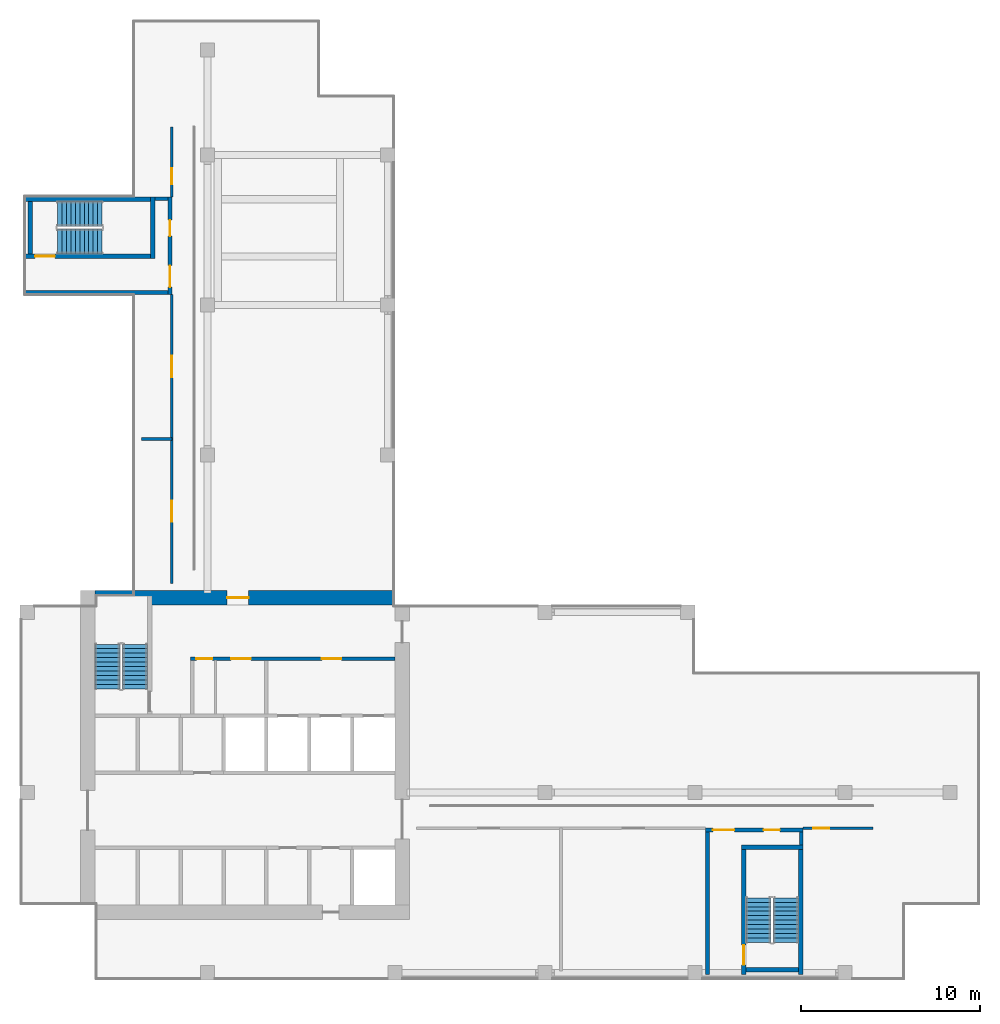
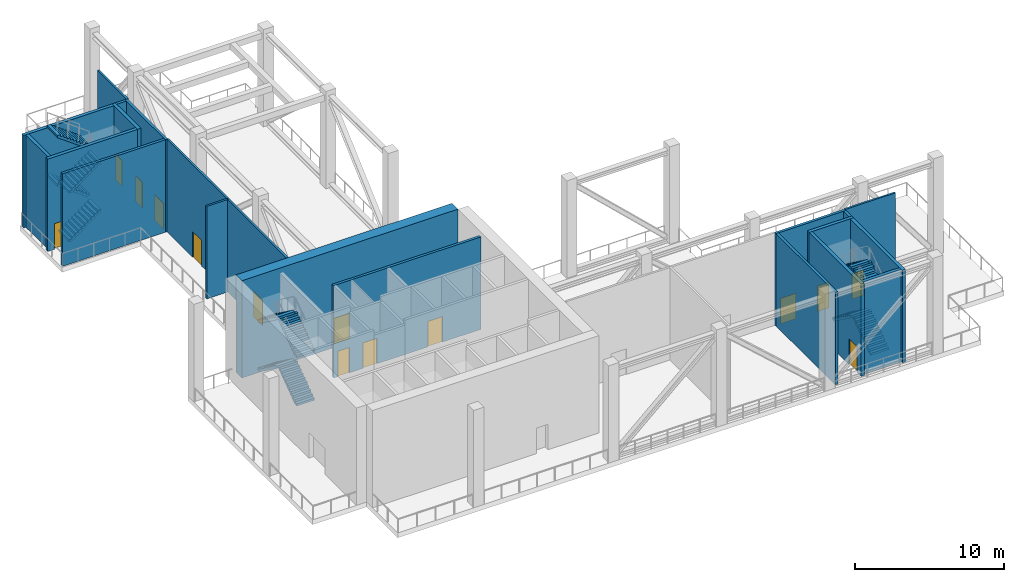
# One storey, part 3 of 9: 20 walls, 14 doors, 12 stair flights, 14 openings, 3 elements without a shape of their own.
"""IFC4 building model written with IfcOpenShell, lengths in metres."""

from ifc_helpers import new_model, si_unit, direction, frame, frame_2d, origin, place, context, subcontext, project, spatial, polyline, rectangle, outline, extrude, source, transform, mapped, material, layer, layer_set, type_object, element, fill, aggregate, save


model = new_model("IFC4")

# Units and contexts
model_context = context("Model", 3, precision=1e-05, world=origin(), true_north=direction((0.0, 1.0)))
body_context = subcontext(model_context, "Body", "Model", "MODEL_VIEW")
ifc_project = project(units=[si_unit("LENGTHUNIT", "METRE"), si_unit("AREAUNIT", "SQUARE_METRE"), si_unit("VOLUMEUNIT", "CUBIC_METRE"), si_unit("PLANEANGLEUNIT", "RADIAN"), si_unit("MASSUNIT", "GRAM", prefix="KILO")], contexts=[model_context])

# Site, building, storey
site_placement = place(None, origin())
site = spatial("IfcSite", under=ifc_project, at=site_placement, CompositionType="ELEMENT")
building_placement = place(site_placement, origin())
building = spatial("IfcBuilding", under=site, at=building_placement, Name="Aurelian Terraces", CompositionType="ELEMENT")
storey_placement = place(building_placement, frame((0.0, 0.0, 269.0)))
storey = spatial("IfcBuildingStorey", under=building, at=storey_placement, Name="L62", CompositionType="ELEMENT", Elevation=269.0)

# Wall, opening, door
ifc_material_1 = material(Name="Concrete fc' 70 MPa", Category="concrete")
ifc_layer_1 = layer(ifc_material_1, 0.8)
ifc_layer_set_1 = layer_set([ifc_layer_1], Name="CORE WALL 800 FC70")
wall_type_1 = type_object("IfcWallType", Name="CORE WALL 800 FC70", PredefinedType="SHEAR", material=ifc_layer_set_1)
shared_shape_1 = source(origin(), body_context, "Body", "SweptSolid", [
    extrude(rectangle(XDim=16.8, YDim=0.8, at=frame_2d((8.4, 0.0))), origin(), (0.0, 0.0, 1.0), 8.0),
])
wall_1_placement = place(storey_placement, frame((4.2, 21.4, 0.0), z_axis=(0.0, 0.0, 1.0), x_axis=(1.0, 0.0, 0.0)))
wall_1 = element("IfcWall", 1, at=wall_1_placement, inside=storey, type_object=wall_type_1, Name="Core wall N L62", PredefinedType="SHEAR", context=body_context, shape_type="MappedRepresentation", body=[
    mapped(shared_shape_1, transform((0.0, 0.0, 0.0), scale=1.0)),
])
shared_shape_2 = source(origin(), body_context, "Body", "SweptSolid", [
    extrude(rectangle(XDim=1.2, YDim=2.1, at=frame_2d((0.6, 1.05))), frame((0.0, 0.41, 0.0), z_axis=(0.0, -1.0, 0.0), x_axis=(1.0, 0.0, 0.0)), (0.0, 0.0, 1.0), 0.82),
])
opening_1_placement = place(wall_1_placement, frame((7.4, 0.0, 0.0)))
opening_1 = element("IfcOpeningElement", 2, at=opening_1_placement, cuts=wall_1, Name="Opening 66518", PredefinedType="OPENING", context=body_context, shape_type="MappedRepresentation", body=[
    mapped(shared_shape_2, transform((0.0, 0.0, 0.0), scale=1.0)),
])
ifc_material_2 = material(Name="Steel door leaf", Category="steel")
door_type_1 = type_object("IfcDoorType", Name="Core fire door 1200x2100 right", OperationType="SINGLE_SWING_RIGHT", PredefinedType="DOOR", material=ifc_material_2)
shared_shape_3 = source(origin(), body_context, "Body", "SweptSolid", [
    extrude(rectangle(XDim=1.2, YDim=2.1, at=frame_2d((0.6, 1.05))), frame((0.0, 0.025, 0.0), z_axis=(0.0, -1.0, 0.0), x_axis=(1.0, 0.0, 0.0)), (0.0, 0.0, 1.0), 0.05),
])
door_1_placement = place(opening_1_placement, origin())
door_1 = element("IfcDoor", 3, at=door_1_placement, inside=storey, type_object=door_type_1, Name="Core door 66518", OperationType="SINGLE_SWING_RIGHT", OverallHeight=2.1, OverallWidth=1.2, PredefinedType="DOOR", context=body_context, shape_type="MappedRepresentation", body=[
    mapped(shared_shape_3, transform((0.0, 0.0, 0.0), scale=1.0)),
])
fill(opening_1, door_1)

ifc_material_3 = material(Name="Concrete fc' 40 MPa", Category="concrete")
ifc_layer_2 = layer(ifc_material_3, 0.25)
ifc_layer_set_2 = layer_set([ifc_layer_2], Name="Stair enclosure wall 250")
wall_type_2 = type_object("IfcWallType", Name="Stair enclosure wall 250", PredefinedType="SOLIDWALL", material=ifc_layer_set_2)
shared_shape_4 = source(origin(), body_context, "Body", "SweptSolid", [
    extrude(rectangle(XDim=7.0, YDim=0.25, at=frame_2d((3.5, 0.0))), origin(), (0.0, 0.0, 1.0), 7.6),
])
wall_2_placement = place(storey_placement, frame((40.525, 0.3, 0.0), z_axis=(0.0, 0.0, 1.0), x_axis=(0.0, 1.0, 0.0)))
wall_2 = element("IfcWall", 4, at=wall_2_placement, inside=storey, type_object=wall_type_2, Name="L62 core wall ST-S2-W", PredefinedType="SOLIDWALL", context=body_context, shape_type="MappedRepresentation", body=[
    mapped(shared_shape_4, transform((0.0, 0.0, 0.0), scale=1.0)),
])
shared_shape_5 = source(origin(), body_context, "Body", "SweptSolid", [
    extrude(rectangle(XDim=1.1, YDim=2.1, at=frame_2d((0.55, 1.05))), frame((0.0, 0.135, 0.0), z_axis=(0.0, -1.0, 0.0), x_axis=(1.0, 0.0, 0.0)), (0.0, 0.0, 1.0), 0.27),
])
opening_2_placement = place(wall_2_placement, frame((0.55, 0.0, 0.0)))
opening_2 = element("IfcOpeningElement", 5, at=opening_2_placement, cuts=wall_2, Name="Opening 66510", PredefinedType="OPENING", context=body_context, shape_type="MappedRepresentation", body=[
    mapped(shared_shape_5, transform((0.0, 0.0, 0.0), scale=1.0)),
])
door_type_2 = type_object("IfcDoorType", Name="Core fire door 1100x2100 right", OperationType="SINGLE_SWING_RIGHT", PredefinedType="DOOR", material=ifc_material_2)
shared_shape_6 = source(origin(), body_context, "Body", "SweptSolid", [
    extrude(rectangle(XDim=1.1, YDim=2.1, at=frame_2d((0.55, 1.05))), frame((0.0, 0.025, 0.0), z_axis=(0.0, -1.0, 0.0), x_axis=(1.0, 0.0, 0.0)), (0.0, 0.0, 1.0), 0.05),
])
door_2_placement = place(opening_2_placement, origin())
door_2 = element("IfcDoor", 6, at=door_2_placement, inside=storey, type_object=door_type_2, Name="Stair door 66510", OperationType="SINGLE_SWING_RIGHT", OverallHeight=2.1, OverallWidth=1.1, PredefinedType="DOOR", context=body_context, shape_type="MappedRepresentation", body=[
    mapped(shared_shape_6, transform((0.0, 0.0, 0.0), scale=1.0)),
])
fill(opening_2, door_2)

# Wall
wall_3_placement = place(storey_placement, frame((43.725, 0.3, 0.0), z_axis=(0.0, 0.0, 1.0), x_axis=(0.0, 1.0, 0.0)))
element("IfcWall", 7, at=wall_3_placement, inside=storey, type_object=wall_type_2, Name="L62 core wall ST-S2-E", PredefinedType="SOLIDWALL", context=body_context, shape_type="MappedRepresentation", body=[
    mapped(shared_shape_4, transform((0.0, 0.0, 0.0), scale=1.0)),
])

# Wall, opening, door
wall_4_placement = place(storey_placement, frame((0.3, 40.525, 0.0), z_axis=(0.0, 0.0, 1.0), x_axis=(1.0, 0.0, 0.0)))
wall_4 = element("IfcWall", 8, at=wall_4_placement, inside=storey, type_object=wall_type_2, Name="L62 core wall ST-S3-W", PredefinedType="SOLIDWALL", context=body_context, shape_type="MappedRepresentation", body=[
    mapped(shared_shape_4, transform((0.0, 0.0, 0.0), scale=1.0)),
])
opening_3_placement = place(wall_4_placement, frame((0.55, 0.0, 0.0)))
opening_3 = element("IfcOpeningElement", 9, at=opening_3_placement, cuts=wall_4, Name="Opening 66513", PredefinedType="OPENING", context=body_context, shape_type="MappedRepresentation", body=[
    mapped(shared_shape_5, transform((0.0, 0.0, 0.0), scale=1.0)),
])
door_type_3 = type_object("IfcDoorType", Name="Core fire door 1100x2100", OperationType="SINGLE_SWING_LEFT", PredefinedType="DOOR", material=ifc_material_2)
door_3_placement = place(opening_3_placement, origin())
door_3 = element("IfcDoor", 10, at=door_3_placement, inside=storey, type_object=door_type_3, Name="Stair door 66513", OperationType="SINGLE_SWING_LEFT", OverallHeight=2.1, OverallWidth=1.1, PredefinedType="DOOR", context=body_context, shape_type="MappedRepresentation", body=[
    mapped(shared_shape_6, transform((0.0, 0.0, 0.0), scale=1.0)),
])
fill(opening_3, door_3)

# Walls
wall_5_placement = place(storey_placement, frame((0.3, 43.725, 0.0), z_axis=(0.0, 0.0, 1.0), x_axis=(1.0, 0.0, 0.0)))
element("IfcWall", 11, at=wall_5_placement, inside=storey, type_object=wall_type_2, Name="L62 core wall ST-S3-E", PredefinedType="SOLIDWALL", context=body_context, shape_type="MappedRepresentation", body=[
    mapped(shared_shape_4, transform((0.0, 0.0, 0.0), scale=1.0)),
])
shared_shape_7 = source(origin(), body_context, "Body", "SweptSolid", [
    extrude(rectangle(XDim=3.45, YDim=0.25, at=frame_2d((1.725, 0.0))), origin(), (0.0, 0.0, 1.0), 7.6),
])
for number, where, z_axis, x_axis, name in (
    (12, (40.4, 7.425, 0.0), (0.0, 0.0, 1.0), (1.0, 0.0, 0.0), "L62 core wall ST-S2-N"),
    (13, (7.425, 40.4, 0.0), (0.0, 0.0, 1.0), (0.0, 1.0, 0.0), "L62 core wall ST-S3-N"),
):
    element("IfcWall", number, at=place(storey_placement, frame(where, z_axis=z_axis, x_axis=x_axis)), inside=storey, type_object=wall_type_2, Name=name, PredefinedType="SOLIDWALL", context=body_context, shape_type="MappedRepresentation", body=[
        mapped(shared_shape_7, transform((0.0, 0.0, 0.0), scale=1.0)),
    ])
shared_shape_8 = source(origin(), body_context, "Body", "SweptSolid", [
    extrude(rectangle(XDim=2.95, YDim=0.25, at=frame_2d((1.475, 0.0))), origin(), (0.0, 0.0, 1.0), 7.6),
])
for number, where, z_axis, x_axis, name in (
    (14, (40.65, 0.575, 0.0), (0.0, 0.0, 1.0), (1.0, 0.0, 0.0), "L62 core wall ST-S2-SS"),
    (15, (0.575, 40.65, 0.0), (0.0, 0.0, 1.0), (0.0, 1.0, 0.0), "L62 core wall ST-S3-SS"),
):
    element("IfcWall", number, at=place(storey_placement, frame(where, z_axis=z_axis, x_axis=x_axis)), inside=storey, type_object=wall_type_2, Name=name, PredefinedType="SOLIDWALL", context=body_context, shape_type="MappedRepresentation", body=[
        mapped(shared_shape_8, transform((0.0, 0.0, 0.0), scale=1.0)),
    ])
ifc_material_4 = material(Name="Gypsum board on steel studs", Category="steel")
ifc_layer_3 = layer(ifc_material_4, 0.2)
ifc_layer_set_3 = layer_set([ifc_layer_3], Name="Core partition 200")
wall_type_3 = type_object("IfcWallType", Name="Core partition 200", PredefinedType="PARTITIONING", material=ifc_layer_set_3)
shared_shape_9 = source(origin(), body_context, "Body", "SweptSolid", [
    extrude(rectangle(XDim=8.0, YDim=0.2, at=frame_2d((4.0, 0.0))), origin(), (0.0, 0.0, 1.0), 7.6),
])
for number, where, z_axis, x_axis, name in (
    (16, (38.5, 0.3, 0.0), (0.0, 0.0, 1.0), (0.0, 1.0, 0.0), "L62 core wall ST-S2-VW"),
    (17, (0.3, 38.5, 0.0), (0.0, 0.0, 1.0), (1.0, 0.0, 0.0), "L62 core wall ST-S3-VW"),
):
    element("IfcWall", number, at=place(storey_placement, frame(where, z_axis=z_axis, x_axis=x_axis)), inside=storey, type_object=wall_type_3, Name=name, PredefinedType="PARTITIONING", context=body_context, shape_type="MappedRepresentation", body=[
        mapped(shared_shape_9, transform((0.0, 0.0, 0.0), scale=1.0)),
    ])

# Wall, openings, doors
shared_shape_10 = source(origin(), body_context, "Body", "SweptSolid", [
    extrude(rectangle(XDim=5.45, YDim=0.2, at=frame_2d((2.725, 0.0))), origin(), (0.0, 0.0, 1.0), 7.6),
])
wall_6_placement = place(storey_placement, frame((38.4, 8.4, 0.0), z_axis=(0.0, 0.0, 1.0), x_axis=(1.0, 0.0, 0.0)))
wall_6 = element("IfcWall", 18, at=wall_6_placement, inside=storey, type_object=wall_type_3, Name="L62 core wall ST-S2-BN", PredefinedType="PARTITIONING", context=body_context, shape_type="MappedRepresentation", body=[
    mapped(shared_shape_10, transform((0.0, 0.0, 0.0), scale=1.0)),
])
shared_shape_11 = source(origin(), body_context, "Body", "SweptSolid", [
    extrude(rectangle(XDim=1.2, YDim=2.1, at=frame_2d((0.6, 1.05))), frame((0.0, 0.11, 0.0), z_axis=(0.0, -1.0, 0.0), x_axis=(1.0, 0.0, 0.0)), (0.0, 0.0, 1.0), 0.22),
])
opening_4_placement = place(wall_6_placement, frame((0.4, 0.0, 0.0)))
opening_4 = element("IfcOpeningElement", 19, at=opening_4_placement, cuts=wall_6, Name="Opening 66511", PredefinedType="OPENING", context=body_context, shape_type="MappedRepresentation", body=[
    mapped(shared_shape_11, transform((0.0, 0.0, 0.0), scale=1.0)),
])
shared_shape_12 = source(origin(), body_context, "Body", "SweptSolid", [
    extrude(rectangle(XDim=0.9, YDim=2.1, at=frame_2d((0.45, 1.05))), frame((0.0, 0.11, 0.0), z_axis=(0.0, -1.0, 0.0), x_axis=(1.0, 0.0, 0.0)), (0.0, 0.0, 1.0), 0.22),
])
opening_5_placement = place(wall_6_placement, frame((3.25, 0.0, 0.0)))
opening_5 = element("IfcOpeningElement", 20, at=opening_5_placement, cuts=wall_6, Name="Opening 66512", PredefinedType="OPENING", context=body_context, shape_type="MappedRepresentation", body=[
    mapped(shared_shape_12, transform((0.0, 0.0, 0.0), scale=1.0)),
])
door_type_4 = type_object("IfcDoorType", Name="Core riser door 900x2100 right", OperationType="SINGLE_SWING_RIGHT", PredefinedType="DOOR", material=ifc_material_2)
shared_shape_13 = source(origin(), body_context, "Body", "SweptSolid", [
    extrude(rectangle(XDim=0.9, YDim=2.1, at=frame_2d((0.45, 1.05))), frame((0.0, 0.025, 0.0), z_axis=(0.0, -1.0, 0.0), x_axis=(1.0, 0.0, 0.0)), (0.0, 0.0, 1.0), 0.05),
])
door_4_placement = place(opening_5_placement, origin())
door_4 = element("IfcDoor", 21, at=door_4_placement, inside=storey, type_object=door_type_4, Name="Riser door 66512", OperationType="SINGLE_SWING_RIGHT", OverallHeight=2.1, OverallWidth=0.9, PredefinedType="DOOR", context=body_context, shape_type="MappedRepresentation", body=[
    mapped(shared_shape_13, transform((0.0, 0.0, 0.0), scale=1.0)),
])
fill(opening_5, door_4)
door_type_5 = type_object("IfcDoorType", Name="Core fire door 1200x2100", OperationType="SINGLE_SWING_LEFT", PredefinedType="DOOR", material=ifc_material_2)
door_5_placement = place(opening_4_placement, origin())
door_5 = element("IfcDoor", 22, at=door_5_placement, inside=storey, type_object=door_type_5, Name="Vestibule door 66511", OperationType="SINGLE_SWING_LEFT", OverallHeight=2.1, OverallWidth=1.2, PredefinedType="DOOR", context=body_context, shape_type="MappedRepresentation", body=[
    mapped(shared_shape_3, transform((0.0, 0.0, 0.0), scale=1.0)),
])
fill(opening_4, door_5)

wall_7_placement = place(storey_placement, frame((8.4, 38.4, 0.0), z_axis=(0.0, 0.0, 1.0), x_axis=(0.0, 1.0, 0.0)))
wall_7 = element("IfcWall", 23, at=wall_7_placement, inside=storey, type_object=wall_type_3, Name="L62 core wall ST-S3-BN", PredefinedType="PARTITIONING", context=body_context, shape_type="MappedRepresentation", body=[
    mapped(shared_shape_10, transform((0.0, 0.0, 0.0), scale=1.0)),
])
opening_6_placement = place(wall_7_placement, frame((0.4, 0.0, 0.0)))
opening_6 = element("IfcOpeningElement", 24, at=opening_6_placement, cuts=wall_7, Name="Opening 66514", PredefinedType="OPENING", context=body_context, shape_type="MappedRepresentation", body=[
    mapped(shared_shape_11, transform((0.0, 0.0, 0.0), scale=1.0)),
])
opening_7_placement = place(wall_7_placement, frame((3.25, 0.0, 0.0)))
opening_7 = element("IfcOpeningElement", 25, at=opening_7_placement, cuts=wall_7, Name="Opening 66515", PredefinedType="OPENING", context=body_context, shape_type="MappedRepresentation", body=[
    mapped(shared_shape_12, transform((0.0, 0.0, 0.0), scale=1.0)),
])
door_type_6 = type_object("IfcDoorType", Name="Core riser door 900x2100", OperationType="SINGLE_SWING_LEFT", PredefinedType="DOOR", material=ifc_material_2)
door_6_placement = place(opening_7_placement, origin())
door_6 = element("IfcDoor", 26, at=door_6_placement, inside=storey, type_object=door_type_6, Name="Riser door 66515", OperationType="SINGLE_SWING_LEFT", OverallHeight=2.1, OverallWidth=0.9, PredefinedType="DOOR", context=body_context, shape_type="MappedRepresentation", body=[
    mapped(shared_shape_13, transform((0.0, 0.0, 0.0), scale=1.0)),
])
fill(opening_7, door_6)
door_7_placement = place(opening_6_placement, origin())
door_7 = element("IfcDoor", 27, at=door_7_placement, inside=storey, type_object=door_type_1, Name="Vestibule door 66514", OperationType="SINGLE_SWING_RIGHT", OverallHeight=2.1, OverallWidth=1.2, PredefinedType="DOOR", context=body_context, shape_type="MappedRepresentation", body=[
    mapped(shared_shape_3, transform((0.0, 0.0, 0.0), scale=1.0)),
])
fill(opening_6, door_7)

# Walls
shared_shape_14 = source(origin(), body_context, "Body", "SweptSolid", [
    extrude(rectangle(XDim=0.75, YDim=0.2, at=frame_2d((0.375, 0.0))), origin(), (0.0, 0.0, 1.0), 7.6),
])
for number, where, z_axis, x_axis, name in (
    (28, (43.75, 7.55, 0.0), (0.0, 0.0, 1.0), (0.0, 1.0, 0.0), "L62 core wall ST-S2-RE"),
    (29, (7.55, 43.75, 0.0), (0.0, 0.0, 1.0), (1.0, 0.0, 0.0), "L62 core wall ST-S3-RE"),
):
    element("IfcWall", number, at=place(storey_placement, frame(where, z_axis=z_axis, x_axis=x_axis)), inside=storey, type_object=wall_type_3, Name=name, PredefinedType="PARTITIONING", context=body_context, shape_type="MappedRepresentation", body=[
        mapped(shared_shape_14, transform((0.0, 0.0, 0.0), scale=1.0)),
    ])

# Wall, openings, doors
shared_shape_15 = source(origin(), body_context, "Body", "SweptSolid", [
    extrude(rectangle(XDim=11.45, YDim=0.2, at=frame_2d((5.725, 0.0))), origin(), (0.0, 0.0, 1.0), 7.6),
])
wall_8_placement = place(storey_placement, frame((9.55, 18.0, 0.0), z_axis=(0.0, 0.0, 1.0), x_axis=(1.0, 0.0, 0.0)))
wall_8 = element("IfcWall", 30, at=wall_8_placement, inside=storey, type_object=wall_type_3, Name="L62 core wall CP-NORTH", PredefinedType="PARTITIONING", context=body_context, shape_type="MappedRepresentation", body=[
    mapped(shared_shape_15, transform((0.0, 0.0, 0.0), scale=1.0)),
])
opening_8_placement = place(wall_8_placement, frame((0.325, 0.0, 0.0)))
opening_8 = element("IfcOpeningElement", 31, at=opening_8_placement, cuts=wall_8, Name="Opening 66507", PredefinedType="OPENING", context=body_context, shape_type="MappedRepresentation", body=[
    mapped(shared_shape_12, transform((0.0, 0.0, 0.0), scale=1.0)),
])
shared_shape_16 = source(origin(), body_context, "Body", "SweptSolid", [
    extrude(rectangle(XDim=1.1, YDim=2.1, at=frame_2d((0.55, 1.05))), frame((0.0, 0.11, 0.0), z_axis=(0.0, -1.0, 0.0), x_axis=(1.0, 0.0, 0.0)), (0.0, 0.0, 1.0), 0.22),
])
opening_9_placement = place(wall_8_placement, frame((2.275, 0.0, 0.0)))
opening_9 = element("IfcOpeningElement", 32, at=opening_9_placement, cuts=wall_8, Name="Opening 66508", PredefinedType="OPENING", context=body_context, shape_type="MappedRepresentation", body=[
    mapped(shared_shape_16, transform((0.0, 0.0, 0.0), scale=1.0)),
])
opening_10_placement = place(wall_8_placement, frame((7.35, 0.0, 0.0)))
opening_10 = element("IfcOpeningElement", 33, at=opening_10_placement, cuts=wall_8, Name="Opening 66509", PredefinedType="OPENING", context=body_context, shape_type="MappedRepresentation", body=[
    mapped(shared_shape_16, transform((0.0, 0.0, 0.0), scale=1.0)),
])
door_8_placement = place(opening_8_placement, origin())
door_8 = element("IfcDoor", 34, at=door_8_placement, inside=storey, type_object=door_type_6, Name="Room door 66507", OperationType="SINGLE_SWING_LEFT", OverallHeight=2.1, OverallWidth=0.9, PredefinedType="DOOR", context=body_context, shape_type="MappedRepresentation", body=[
    mapped(shared_shape_13, transform((0.0, 0.0, 0.0), scale=1.0)),
])
fill(opening_8, door_8)
door_type_7 = type_object("IfcDoorType", Name="Core service door 1100x2100 right", OperationType="SINGLE_SWING_RIGHT", PredefinedType="DOOR", material=ifc_material_2)
door_9_placement = place(opening_9_placement, origin())
door_9 = element("IfcDoor", 35, at=door_9_placement, inside=storey, type_object=door_type_7, Name="Room door 66508", OperationType="SINGLE_SWING_RIGHT", OverallHeight=2.1, OverallWidth=1.1, PredefinedType="DOOR", context=body_context, shape_type="MappedRepresentation", body=[
    mapped(shared_shape_6, transform((0.0, 0.0, 0.0), scale=1.0)),
])
fill(opening_9, door_9)
door_10_placement = place(opening_10_placement, origin())
door_10 = element("IfcDoor", 36, at=door_10_placement, inside=storey, type_object=door_type_3, Name="Ff lobby door 66509", OperationType="SINGLE_SWING_LEFT", OverallHeight=2.1, OverallWidth=1.1, PredefinedType="DOOR", context=body_context, shape_type="MappedRepresentation", body=[
    mapped(shared_shape_6, transform((0.0, 0.0, 0.0), scale=1.0)),
])
fill(opening_10, door_10)

ifc_layer_4 = layer(ifc_material_4, 0.15)
ifc_layer_set_4 = layer_set([ifc_layer_4], Name="Special partition 150")
wall_type_4 = type_object("IfcWallType", Name="Special partition 150", PredefinedType="PARTITIONING", material=ifc_layer_set_4)
shared_shape_17 = source(origin(), body_context, "Body", "SweptSolid", [
    extrude(rectangle(XDim=16.2, YDim=0.15, at=frame_2d((8.1, 0.0))), origin(), (0.0, 0.0, 1.0), 7.6),
])
wall_9_placement = place(storey_placement, frame((8.5, 22.2, 0.0), z_axis=(0.0, 0.0, 1.0), x_axis=(0.0, 1.0, 0.0)))
wall_9 = element("IfcWall", 37, at=wall_9_placement, inside=storey, type_object=wall_type_4, Name="L62 partition W04", PredefinedType="PARTITIONING", context=body_context, shape_type="MappedRepresentation", body=[
    mapped(shared_shape_17, transform((0.0, 0.0, 0.0), scale=1.0)),
])
shared_shape_18 = source(origin(), body_context, "Body", "SweptSolid", [
    extrude(rectangle(XDim=1.2, YDim=2.1, at=frame_2d((0.6, 1.05))), frame((0.0, 0.085, 0.0), z_axis=(0.0, -1.0, 0.0), x_axis=(1.0, 0.0, 0.0)), (0.0, 0.0, 1.0), 0.17),
])
opening_11_placement = place(wall_9_placement, frame((3.45, 0.0, 0.0)))
opening_11 = element("IfcOpeningElement", 38, at=opening_11_placement, cuts=wall_9, Name="Opening 76504", PredefinedType="OPENING", context=body_context, shape_type="MappedRepresentation", body=[
    mapped(shared_shape_18, transform((0.0, 0.0, 0.0), scale=1.0)),
])
opening_12_placement = place(wall_9_placement, frame((11.55, 0.0, 0.0)))
opening_12 = element("IfcOpeningElement", 39, at=opening_12_placement, cuts=wall_9, Name="Opening 76505", PredefinedType="OPENING", context=body_context, shape_type="MappedRepresentation", body=[
    mapped(shared_shape_18, transform((0.0, 0.0, 0.0), scale=1.0)),
])
door_type_8 = type_object("IfcDoorType", Name="Special door 1200x2100 right", OperationType="SINGLE_SWING_RIGHT", PredefinedType="DOOR", material=ifc_material_2)
door_11_placement = place(opening_11_placement, origin())
door_11 = element("IfcDoor", 40, at=door_11_placement, inside=storey, type_object=door_type_8, Name="Door 76504", OperationType="SINGLE_SWING_RIGHT", OverallHeight=2.1, OverallWidth=1.2, PredefinedType="DOOR", context=body_context, shape_type="MappedRepresentation", body=[
    mapped(shared_shape_3, transform((0.0, 0.0, 0.0), scale=1.0)),
])
fill(opening_11, door_11)
door_type_9 = type_object("IfcDoorType", Name="Special door 1200x2100", OperationType="SINGLE_SWING_LEFT", PredefinedType="DOOR", material=ifc_material_2)
door_12_placement = place(opening_12_placement, origin())
door_12 = element("IfcDoor", 41, at=door_12_placement, inside=storey, type_object=door_type_9, Name="Door 76505", OperationType="SINGLE_SWING_LEFT", OverallHeight=2.1, OverallWidth=1.2, PredefinedType="DOOR", context=body_context, shape_type="MappedRepresentation", body=[
    mapped(shared_shape_3, transform((0.0, 0.0, 0.0), scale=1.0)),
])
fill(opening_12, door_12)

# Wall, opening, door
shared_shape_19 = source(origin(), body_context, "Body", "SweptSolid", [
    extrude(rectangle(XDim=3.91, YDim=0.15, at=frame_2d((1.955, 0.0))), origin(), (0.0, 0.0, 1.0), 7.6),
])
wall_10_placement = place(storey_placement, frame((43.85, 8.5, 0.0), z_axis=(0.0, 0.0, 1.0), x_axis=(1.0, 0.0, 0.0)))
wall_10 = element("IfcWall", 42, at=wall_10_placement, inside=storey, type_object=wall_type_4, Name="L62 partition W02", PredefinedType="PARTITIONING", context=body_context, shape_type="MappedRepresentation", body=[
    mapped(shared_shape_19, transform((0.0, 0.0, 0.0), scale=1.0)),
])
shared_shape_20 = source(origin(), body_context, "Body", "SweptSolid", [
    extrude(rectangle(XDim=0.9, YDim=2.1, at=frame_2d((0.45, 1.05))), frame((0.0, 0.085, 0.0), z_axis=(0.0, -1.0, 0.0), x_axis=(1.0, 0.0, 0.0)), (0.0, 0.0, 1.0), 0.17),
])
opening_13_placement = place(wall_10_placement, frame((0.56, 0.0, 0.0)))
opening_13 = element("IfcOpeningElement", 43, at=opening_13_placement, cuts=wall_10, Name="Opening 76503", PredefinedType="OPENING", context=body_context, shape_type="MappedRepresentation", body=[
    mapped(shared_shape_20, transform((0.0, 0.0, 0.0), scale=1.0)),
])
ifc_material_5 = material(Name="Timber door leaf", Category="wood")
door_type_10 = type_object("IfcDoorType", Name="Special door 900x2100", OperationType="SINGLE_SWING_LEFT", PredefinedType="DOOR", material=ifc_material_5)
door_13_placement = place(opening_13_placement, origin())
door_13 = element("IfcDoor", 44, at=door_13_placement, inside=storey, type_object=door_type_10, Name="Door 76503", OperationType="SINGLE_SWING_LEFT", OverallHeight=2.1, OverallWidth=0.9, PredefinedType="DOOR", context=body_context, shape_type="MappedRepresentation", body=[
    mapped(shared_shape_13, transform((0.0, 0.0, 0.0), scale=1.0)),
])
fill(opening_13, door_13)

wall_11_placement = place(storey_placement, frame((8.5, 43.85, 0.0), z_axis=(0.0, 0.0, 1.0), x_axis=(0.0, 1.0, 0.0)))
wall_11 = element("IfcWall", 45, at=wall_11_placement, inside=storey, type_object=wall_type_4, Name="L62 partition W05", PredefinedType="PARTITIONING", context=body_context, shape_type="MappedRepresentation", body=[
    mapped(shared_shape_19, transform((0.0, 0.0, 0.0), scale=1.0)),
])
opening_14_placement = place(wall_11_placement, frame((0.7, 0.0, 0.0)))
opening_14 = element("IfcOpeningElement", 46, at=opening_14_placement, cuts=wall_11, Name="Opening 76506", PredefinedType="OPENING", context=body_context, shape_type="MappedRepresentation", body=[
    mapped(shared_shape_20, transform((0.0, 0.0, 0.0), scale=1.0)),
])
door_type_11 = type_object("IfcDoorType", Name="Special door 900x2100 right", OperationType="SINGLE_SWING_RIGHT", PredefinedType="DOOR", material=ifc_material_5)
door_14_placement = place(opening_14_placement, origin())
door_14 = element("IfcDoor", 47, at=door_14_placement, inside=storey, type_object=door_type_11, Name="Door 76506", OperationType="SINGLE_SWING_RIGHT", OverallHeight=2.1, OverallWidth=0.9, PredefinedType="DOOR", context=body_context, shape_type="MappedRepresentation", body=[
    mapped(shared_shape_13, transform((0.0, 0.0, 0.0), scale=1.0)),
])
fill(opening_14, door_14)

# Wall
shared_shape_21 = source(origin(), body_context, "Body", "SweptSolid", [
    extrude(rectangle(XDim=1.7, YDim=0.15, at=frame_2d((0.85, 0.0))), origin(), (0.0, 0.0, 1.0), 7.6),
])
wall_12_placement = place(storey_placement, frame((6.8, 30.3, 0.0), z_axis=(0.0, 0.0, 1.0), x_axis=(1.0, 0.0, 0.0)))
element("IfcWall", 48, at=wall_12_placement, inside=storey, type_object=wall_type_4, Name="L62 partition W03", PredefinedType="PARTITIONING", context=body_context, shape_type="MappedRepresentation", body=[
    mapped(shared_shape_21, transform((0.0, 0.0, 0.0), scale=1.0)),
])

# Stair, stair flights
stair_type = type_object("IfcStairType", Name="Stair 1400", PredefinedType="HALF_TURN_STAIR", material=ifc_material_3)
stair_1_placement = place(storey_placement, origin())
stair_1 = element("IfcStair", 49, at=stair_1_placement, inside=storey, type_object=stair_type, Name="L62 S1", PredefinedType="HALF_TURN_STAIR")
stair_flight_type = type_object("IfcStairFlightType", Name="Stair flight 1400", PredefinedType="STRAIGHT", material=ifc_material_3)
shared_shape_22 = source(origin(), body_context, "Body", "SweptSolid", [
    extrude(outline(polyline([(0.0, 0.0), (0.0, 0.1818), (0.25, 0.1818), (0.25, 0.3636), (0.5, 0.3636), (0.5, 0.5455), (0.75, 0.5455), (0.75, 0.7273), (1.0, 0.7273), (1.0, 0.9091), (1.25, 0.9091), (1.25, 1.0909), (1.5, 1.0909), (1.5, 1.2727), (1.75, 1.2727), (1.75, 1.4545), (2.0, 1.4545), (2.0, 1.6364), (2.25, 1.6364), (2.25, 1.8182), (2.5, 1.8182), (2.5, 2.0), (2.5, 1.6327), (0.255, 0.0), (0.0, 0.0)])), frame((0.0, 0.7, 0.0), z_axis=(0.0, -1.0, 0.0), x_axis=(1.0, 0.0, 0.0)), (0.0, 0.0, 1.0), 1.4),
])
stair_flight_1_placement = place(storey_placement, frame((6.45, 16.3, 2e-08), z_axis=(0.0, 0.0, 1.0), x_axis=(0.0, 1.0, 0.0)))
stair_flight_1 = element("IfcStairFlight", 50, at=stair_flight_1_placement, type_object=stair_flight_type, Name="S1 flight 1", NumberOfRisers=11, NumberOfTreads=10, PredefinedType="STRAIGHT", RiserHeight=0.181818182, TreadLength=0.25, context=body_context, shape_type="MappedRepresentation", body=[
    mapped(shared_shape_22, transform((0.0, 0.0, 0.0), scale=1.0)),
])
stair_flight_2_placement = place(storey_placement, frame((4.9, 18.8, 2.00000002), z_axis=(0.0, 0.0, 1.0), x_axis=(0.0, -1.0, 0.0)))
stair_flight_2 = element("IfcStairFlight", 51, at=stair_flight_2_placement, type_object=stair_flight_type, Name="S1 flight 2", NumberOfRisers=11, NumberOfTreads=10, PredefinedType="STRAIGHT", RiserHeight=0.181818182, TreadLength=0.25, context=body_context, shape_type="MappedRepresentation", body=[
    mapped(shared_shape_22, transform((0.0, 0.0, 0.0), scale=1.0)),
])
stair_flight_3_placement = place(storey_placement, frame((6.45, 16.3, 4.00000002), z_axis=(0.0, 0.0, 1.0), x_axis=(0.0, 1.0, 0.0)))
stair_flight_3 = element("IfcStairFlight", 52, at=stair_flight_3_placement, type_object=stair_flight_type, Name="S1 flight 3", NumberOfRisers=11, NumberOfTreads=10, PredefinedType="STRAIGHT", RiserHeight=0.181818182, TreadLength=0.25, context=body_context, shape_type="MappedRepresentation", body=[
    mapped(shared_shape_22, transform((0.0, 0.0, 0.0), scale=1.0)),
])
stair_flight_4_placement = place(storey_placement, frame((4.9, 18.8, 6.00000002), z_axis=(0.0, 0.0, 1.0), x_axis=(0.0, -1.0, 0.0)))
stair_flight_4 = element("IfcStairFlight", 53, at=stair_flight_4_placement, type_object=stair_flight_type, Name="S1 flight 4", NumberOfRisers=11, NumberOfTreads=10, PredefinedType="STRAIGHT", RiserHeight=0.181818182, TreadLength=0.25, context=body_context, shape_type="MappedRepresentation", body=[
    mapped(shared_shape_22, transform((0.0, 0.0, 0.0), scale=1.0)),
])
aggregate(stair_1, [stair_flight_1, stair_flight_2, stair_flight_3, stair_flight_4])

stair_2_placement = place(storey_placement, origin())
stair_2 = element("IfcStair", 54, at=stair_2_placement, inside=storey, type_object=stair_type, Name="L62 S2", PredefinedType="HALF_TURN_STAIR")
stair_flight_5_placement = place(storey_placement, frame((42.9, 2.1, 2e-08), z_axis=(0.0, 0.0, 1.0), x_axis=(0.0, 1.0, 0.0)))
stair_flight_5 = element("IfcStairFlight", 55, at=stair_flight_5_placement, type_object=stair_flight_type, Name="S2 flight 1", NumberOfRisers=11, NumberOfTreads=10, PredefinedType="STRAIGHT", RiserHeight=0.181818182, TreadLength=0.25, context=body_context, shape_type="MappedRepresentation", body=[
    mapped(shared_shape_22, transform((0.0, 0.0, 0.0), scale=1.0)),
])
stair_flight_6_placement = place(storey_placement, frame((41.35, 4.6, 2.00000002), z_axis=(0.0, 0.0, 1.0), x_axis=(0.0, -1.0, 0.0)))
stair_flight_6 = element("IfcStairFlight", 56, at=stair_flight_6_placement, type_object=stair_flight_type, Name="S2 flight 2", NumberOfRisers=11, NumberOfTreads=10, PredefinedType="STRAIGHT", RiserHeight=0.181818182, TreadLength=0.25, context=body_context, shape_type="MappedRepresentation", body=[
    mapped(shared_shape_22, transform((0.0, 0.0, 0.0), scale=1.0)),
])
stair_flight_7_placement = place(storey_placement, frame((42.9, 2.1, 4.00000002), z_axis=(0.0, 0.0, 1.0), x_axis=(0.0, 1.0, 0.0)))
stair_flight_7 = element("IfcStairFlight", 57, at=stair_flight_7_placement, type_object=stair_flight_type, Name="S2 flight 3", NumberOfRisers=11, NumberOfTreads=10, PredefinedType="STRAIGHT", RiserHeight=0.181818182, TreadLength=0.25, context=body_context, shape_type="MappedRepresentation", body=[
    mapped(shared_shape_22, transform((0.0, 0.0, 0.0), scale=1.0)),
])
stair_flight_8_placement = place(storey_placement, frame((41.35, 4.6, 6.00000002), z_axis=(0.0, 0.0, 1.0), x_axis=(0.0, -1.0, 0.0)))
stair_flight_8 = element("IfcStairFlight", 58, at=stair_flight_8_placement, type_object=stair_flight_type, Name="S2 flight 4", NumberOfRisers=11, NumberOfTreads=10, PredefinedType="STRAIGHT", RiserHeight=0.181818182, TreadLength=0.25, context=body_context, shape_type="MappedRepresentation", body=[
    mapped(shared_shape_22, transform((0.0, 0.0, 0.0), scale=1.0)),
])
aggregate(stair_2, [stair_flight_5, stair_flight_6, stair_flight_7, stair_flight_8])

stair_3_placement = place(storey_placement, origin())
stair_3 = element("IfcStair", 59, at=stair_3_placement, inside=storey, type_object=stair_type, Name="L62 S3", PredefinedType="HALF_TURN_STAIR")
stair_flight_9_placement = place(storey_placement, frame((2.1, 41.35, 2e-08), z_axis=(0.0, 0.0, 1.0), x_axis=(1.0, 0.0, 0.0)))
stair_flight_9 = element("IfcStairFlight", 60, at=stair_flight_9_placement, type_object=stair_flight_type, Name="S3 flight 1", NumberOfRisers=11, NumberOfTreads=10, PredefinedType="STRAIGHT", RiserHeight=0.181818182, TreadLength=0.25, context=body_context, shape_type="MappedRepresentation", body=[
    mapped(shared_shape_22, transform((0.0, 0.0, 0.0), scale=1.0)),
])
stair_flight_10_placement = place(storey_placement, frame((4.6, 42.9, 2.00000002), z_axis=(0.0, 0.0, 1.0), x_axis=(-1.0, 0.0, 0.0)))
stair_flight_10 = element("IfcStairFlight", 61, at=stair_flight_10_placement, type_object=stair_flight_type, Name="S3 flight 2", NumberOfRisers=11, NumberOfTreads=10, PredefinedType="STRAIGHT", RiserHeight=0.181818182, TreadLength=0.25, context=body_context, shape_type="MappedRepresentation", body=[
    mapped(shared_shape_22, transform((0.0, 0.0, 0.0), scale=1.0)),
])
stair_flight_11_placement = place(storey_placement, frame((2.1, 41.35, 4.00000002), z_axis=(0.0, 0.0, 1.0), x_axis=(1.0, 0.0, 0.0)))
stair_flight_11 = element("IfcStairFlight", 62, at=stair_flight_11_placement, type_object=stair_flight_type, Name="S3 flight 3", NumberOfRisers=11, NumberOfTreads=10, PredefinedType="STRAIGHT", RiserHeight=0.181818182, TreadLength=0.25, context=body_context, shape_type="MappedRepresentation", body=[
    mapped(shared_shape_22, transform((0.0, 0.0, 0.0), scale=1.0)),
])
stair_flight_12_placement = place(storey_placement, frame((4.6, 42.9, 6.00000002), z_axis=(0.0, 0.0, 1.0), x_axis=(-1.0, 0.0, 0.0)))
stair_flight_12 = element("IfcStairFlight", 63, at=stair_flight_12_placement, type_object=stair_flight_type, Name="S3 flight 4", NumberOfRisers=11, NumberOfTreads=10, PredefinedType="STRAIGHT", RiserHeight=0.181818182, TreadLength=0.25, context=body_context, shape_type="MappedRepresentation", body=[
    mapped(shared_shape_22, transform((0.0, 0.0, 0.0), scale=1.0)),
])
aggregate(stair_3, [stair_flight_9, stair_flight_10, stair_flight_11, stair_flight_12])

save(model, "model.ifc")
